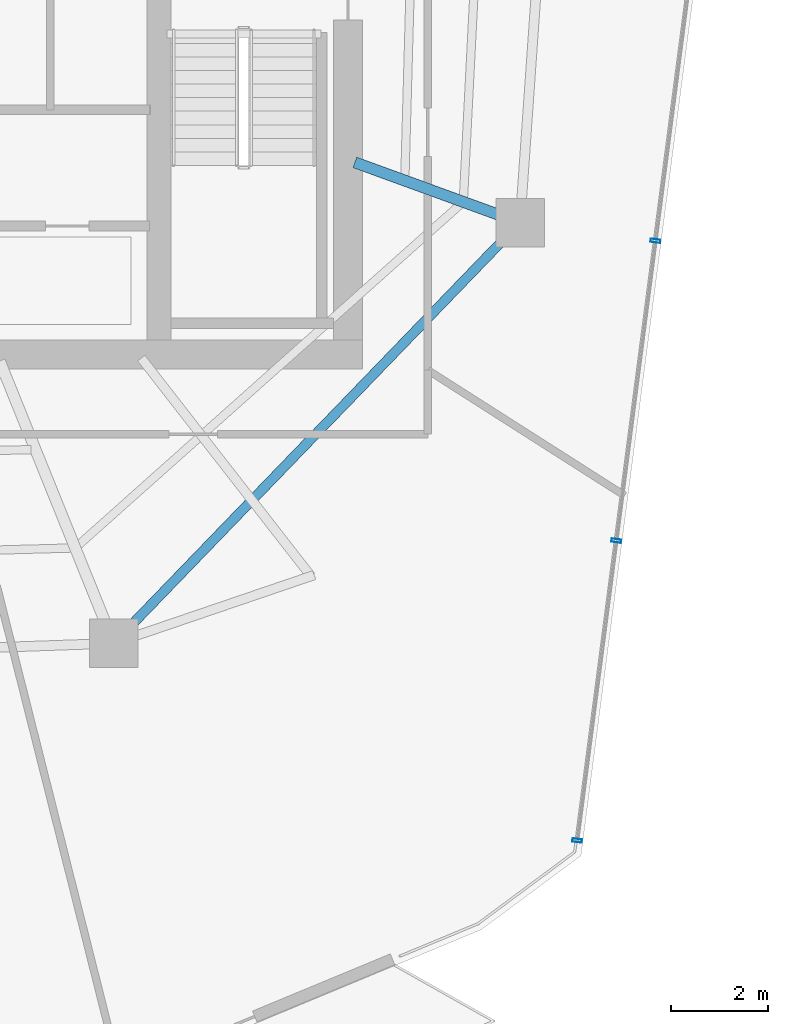
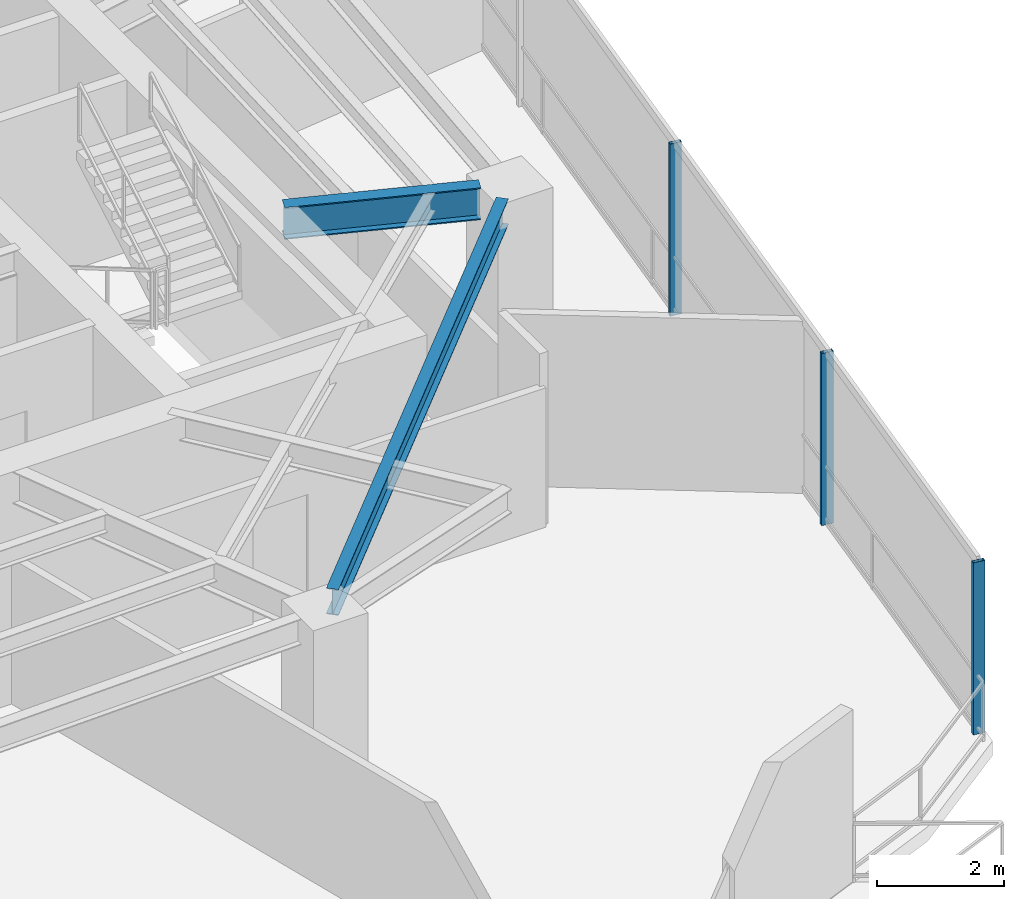
# One storey, part 8 of 20: 3 members, 2 beams, 1 element without a shape of its own.
"""IFC4 building model written with IfcOpenShell, lengths in metres."""

from ifc_helpers import new_model, si_unit, direction, frame, origin, origin_2d, place, context, subcontext, project, spatial, hollow_rectangle, i_section, extrude, material, layer, layer_set, material_profile, profile_set, type_object, element, aggregate, save


model = new_model("IFC4")

# Units and contexts
model_context = context("Model", 3, precision=1e-05, world=origin(), true_north=direction((0.0, 1.0)))
body_context = subcontext(model_context, "Body", "Model", "MODEL_VIEW")
ifc_project = project(units=[si_unit("LENGTHUNIT", "METRE"), si_unit("AREAUNIT", "SQUARE_METRE"), si_unit("VOLUMEUNIT", "CUBIC_METRE"), si_unit("PLANEANGLEUNIT", "RADIAN"), si_unit("MASSUNIT", "GRAM", prefix="KILO")], contexts=[model_context])

# Site, building, storey
site_placement = place(None, origin())
site = spatial("IfcSite", under=ifc_project, at=site_placement, CompositionType="ELEMENT")
building_placement = place(site_placement, origin())
building = spatial("IfcBuilding", under=site, at=building_placement, Name="Qarnah Convention Tower", CompositionType="ELEMENT")
storey_placement = place(building_placement, frame((0.0, 0.0, 150.89990234375)))
storey = spatial("IfcBuildingStorey", under=building, at=storey_placement, Name="L40", CompositionType="ELEMENT", Elevation=150.89990234375)

# Beams
ifc_material_1 = material(Name="Structural steel S355JR", Category="steel")
ifc_material_profile_1 = material_profile(ifc_material_1, i_section(OverallWidth=0.22998046875, OverallDepth=0.617919921875, WebThickness=0.012939453125, FlangeThickness=0.02197265625, at=origin_2d()), Name="W610X140")
ifc_profile_set_1 = profile_set([ifc_material_profile_1], Name="Structural steel S355JR")
beam_type_1 = type_object("IfcBeamType", Name="BM-RAD-W610A", PredefinedType="BEAM", material=ifc_profile_set_1)
beam_1_placement = place(storey_placement, frame((47.740966796875, 22.56396484375, 3.010986328125), z_axis=(0.939610124669, -0.342246714549, 0.0), x_axis=(0.342246714549, 0.939610124669, 0.0)))
element("IfcBeam", 1, at=beam_1_placement, inside=storey, type_object=beam_type_1, Name="L40 beam BM-L40-RAD-09", PredefinedType="BEAM", context=body_context, shape_type="SweptSolid", body=[
    extrude(i_section(OverallWidth=0.22998046875, OverallDepth=0.617919921875, WebThickness=0.012939453125, FlangeThickness=0.02197265625, at=origin_2d()), origin(), (0.0, 0.0, 1.0), 3.15234375),
])
ifc_material_profile_2 = material_profile(ifc_material_1, i_section(OverallWidth=0.199951171875, OverallDepth=0.5, WebThickness=0.010009765625, FlangeThickness=0.01611328125, at=origin_2d()), Name="IPE500")
ifc_profile_set_2 = profile_set([ifc_material_profile_2], Name="Structural steel S355JR")
beam_type_2 = type_object("IfcBeamType", Name="BM-SPN-IPE500", PredefinedType="SPANDREL", material=ifc_profile_set_2)
beam_2_placement = place(storey_placement, frame((43.10302734375, 12.98291015625, 3.070068359375), z_axis=(0.694605503013, 0.719390850084, 0.0), x_axis=(-0.719390850084, 0.694605503013, 0.0)))
element("IfcBeam", 2, at=beam_2_placement, inside=storey, type_object=beam_type_2, Name="L40 spandrel BM-L40-SPN-08", PredefinedType="SPANDREL", context=body_context, shape_type="SweptSolid", body=[
    extrude(i_section(OverallWidth=0.199951171875, OverallDepth=0.5, WebThickness=0.010009765625, FlangeThickness=0.01611328125, at=origin_2d()), origin(), (0.0, 0.0, 1.0), 11.10107421875),
])

# Curtain wall, members
ifc_material_2 = material(Name="Tempered Low-E dark glass", Category="glass")
ifc_layer = layer(ifc_material_2, 0.172119140625)
ifc_layer_set = layer_set([ifc_layer], Name="Tempered Low-E dark glass")
curtain_wall_type = type_object("IfcCurtainWallType", Name="CWS-03", PredefinedType="NOTDEFINED", material=ifc_layer_set)
curtain_wall_placement = place(storey_placement, origin())
curtain_wall = element("IfcCurtainWall", 3, at=curtain_wall_placement, inside=storey, type_object=curtain_wall_type, Name="L40 unitised curtain wall CW-L40-F2", PredefinedType="NOTDEFINED")
ifc_material_3 = material(Name="Black anodised aluminium", Category="aluminium")
ifc_material_profile_3 = material_profile(ifc_material_3, hollow_rectangle(XDim=0.070068359375, YDim=0.199951171875, WallThickness=0.0048828125, at=origin_2d()), Name="MUL-70X200")
ifc_profile_set_3 = profile_set([ifc_material_profile_3], Name="Black anodised aluminium")
member_type = type_object("IfcMemberType", Name="MUL-T3", PredefinedType="MULLION", material=ifc_profile_set_3)
member_1_placement = place(storey_placement, frame((53.9501953125, 20.943115234375, 0.0), z_axis=(0.0, 0.0, 1.0), x_axis=(-0.129476096574, -0.99158254342, 0.0)))
member_1 = element("IfcMember", 4, at=member_1_placement, type_object=member_type, Name="CW-L40-F2 mullion 4", PredefinedType="MULLION", context=body_context, shape_type="SweptSolid", body=[
    extrude(hollow_rectangle(XDim=0.070068359375, YDim=0.199951171875, WallThickness=0.0048828125, at=origin_2d()), origin(), (0.0, 0.0, 1.0), 3.320068359375),
])
member_2_placement = place(storey_placement, frame((53.1416015625, 14.75048828125, 0.0), z_axis=(0.0, 0.0, 1.0), x_axis=(-0.129476096574, -0.99158254342, 0.0)))
member_2 = element("IfcMember", 5, at=member_2_placement, type_object=member_type, Name="CW-L40-F2 mullion 5", PredefinedType="MULLION", context=body_context, shape_type="SweptSolid", body=[
    extrude(hollow_rectangle(XDim=0.070068359375, YDim=0.199951171875, WallThickness=0.0048828125, at=origin_2d()), origin(), (0.0, 0.0, 1.0), 3.320068359375),
])
member_3_placement = place(storey_placement, frame((52.3330078125, 8.55810546875, 0.0), z_axis=(0.0, 0.0, 1.0), x_axis=(-0.129476096574, -0.99158254342, 0.0)))
member_3 = element("IfcMember", 6, at=member_3_placement, type_object=member_type, Name="CW-L40-F2 mullion 6", PredefinedType="MULLION", context=body_context, shape_type="SweptSolid", body=[
    extrude(hollow_rectangle(XDim=0.070068359375, YDim=0.199951171875, WallThickness=0.0048828125, at=origin_2d()), origin(), (0.0, 0.0, 1.0), 3.320068359375),
])
aggregate(curtain_wall, [member_1, member_2, member_3])

save(model, "model.ifc")
